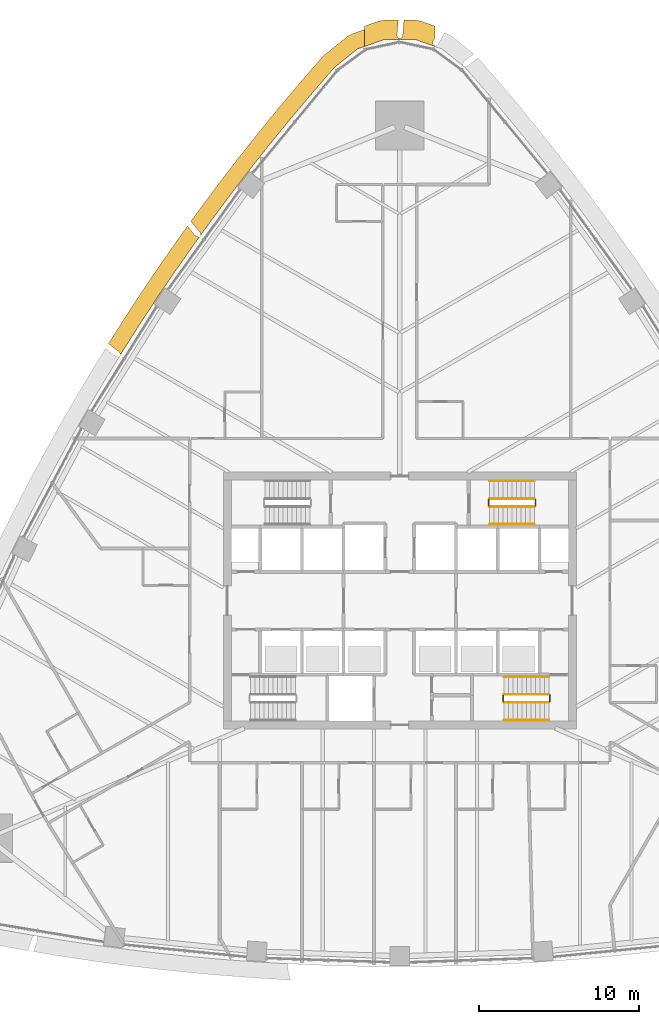
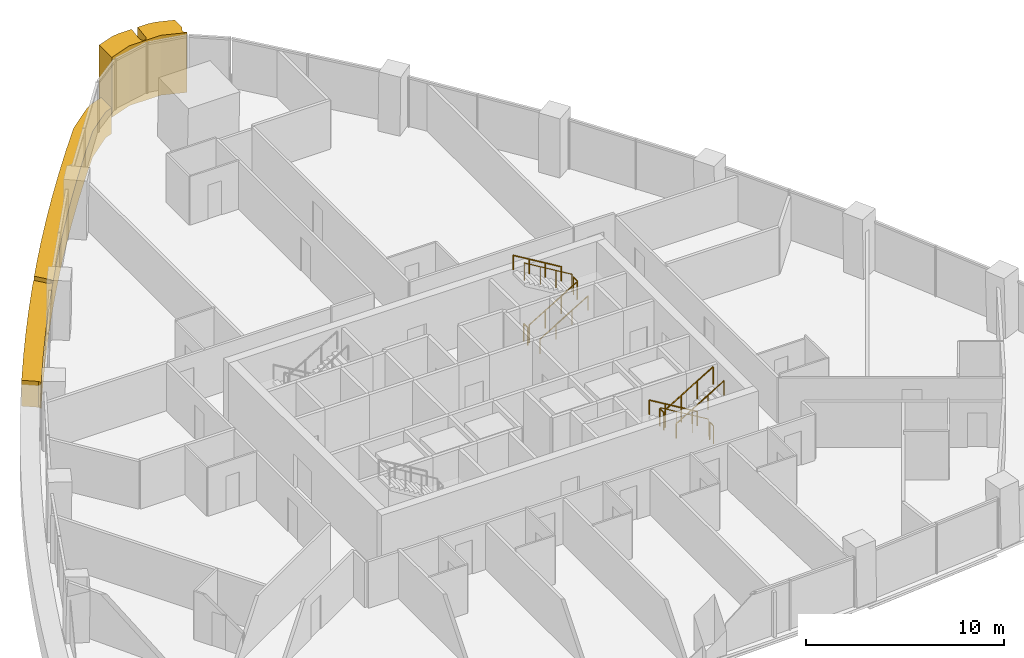
# One storey, part 15 of 17: 12 railings, 2 coverings.
"""IFC4 building model written with IfcOpenShell, lengths in metres."""

from ifc_helpers import new_model, si_unit, direction, frame, origin, origin_2d, place, context, subcontext, project, spatial, polyline, circle, outline, extrude, material, layer, layer_set, type_object, element, save


model = new_model("IFC4")

# Units and contexts
model_context = context("Model", 3, precision=1e-05, world=origin(), true_north=direction((0.0, 1.0)))
body_context = subcontext(model_context, "Body", "Model", "MODEL_VIEW")
ifc_project = project(units=[si_unit("LENGTHUNIT", "METRE"), si_unit("AREAUNIT", "SQUARE_METRE"), si_unit("VOLUMEUNIT", "CUBIC_METRE"), si_unit("PLANEANGLEUNIT", "RADIAN"), si_unit("MASSUNIT", "GRAM", prefix="KILO")], contexts=[model_context])

# Site, building, storey
site_placement = place(None, origin())
site = spatial("IfcSite", under=ifc_project, at=site_placement, CompositionType="ELEMENT")
building_placement = place(site_placement, origin())
building = spatial("IfcBuilding", under=site, at=building_placement, Name="Sierra Prisma Convention Tower", CompositionType="ELEMENT")
storey_placement = place(building_placement, frame((0.0, 0.0, 99.800048828125)))
storey = spatial("IfcBuildingStorey", under=building, at=storey_placement, Name="L21", CompositionType="ELEMENT", Elevation=99.800048828125)

# Coverings
ifc_material_1 = material(Name="Aluminium composite bronze anodised", Category="aluminium")
ifc_layer_1 = layer(ifc_material_1, 1.199951171875)
ifc_layer_set_1 = layer_set([ifc_layer_1], Name="Bronze corner pier")
covering_type_1 = type_object("IfcCoveringType", Name="Bronze corner pier", PredefinedType="CLADDING", material=ifc_layer_set_1)
covering_1_placement = place(storey_placement, frame((0.0, 0.0, -0.60009765625)))
element("IfcCovering", 1, at=covering_1_placement, inside=storey, type_object=covering_type_1, Name="Corner pier N L21.1", PredefinedType="CLADDING", context=body_context, shape_type="SweptSolid", body=[
    extrude(outline(polyline([(2.06689453125, 34.82861328125), (2.065185546875, 34.82421875), (2.063720703125, 34.81982421875), (2.06298828125, 34.815185546875), (2.0625, 34.810546875), (2.0625, 34.805908203125), (2.06298828125, 34.801513671875), (2.084716796875, 34.643310546875), (2.085693359375, 34.638427734375), (2.0869140625, 34.6337890625), (2.0888671875, 34.629150390625), (2.09130859375, 34.624755859375), (2.093994140625, 34.62060546875), (2.09716796875, 34.61669921875), (2.1005859375, 34.61328125), (2.1044921875, 34.610107421875), (2.108642578125, 34.607421875), (2.113037109375, 34.60498046875), (2.11767578125, 34.60302734375), (2.199951171875, 34.57421875), (2.199951171875, 34.526611328125), (0.915771484375, 34.9794921875), (-0.915771484375, 34.9794921875), (-2.199951171875, 34.526611328125), (-2.199951171875, 35.799072265625), (-1.314697265625, 36.111328125), (-0.915771484375, 36.1796875), (-0.090087890625, 36.1796875), (-0.17431640625, 35.216796875), (-0.174560546875, 35.2119140625), (-0.17431640625, 35.206787109375), (-0.17333984375, 35.201904296875), (-0.172119140625, 35.197021484375), (-0.170166015625, 35.1923828125), (-0.16796875, 35.187744140625), (-0.093505859375, 35.056884765625), (-0.0908203125, 35.052978515625), (-0.087890625, 35.049072265625), (-0.084716796875, 35.045654296875), (-0.0810546875, 35.04248046875), (-0.0771484375, 35.039794921875), (-0.072998046875, 35.037353515625), (-0.068603515625, 35.035400390625), (-0.064208984375, 35.03369140625), (-0.0595703125, 35.032470703125), (-0.0546875, 35.031982421875), (-0.050048828125, 35.031494140625), (0.050048828125, 35.031494140625), (0.054931640625, 35.031982421875), (0.059814453125, 35.03271484375), (0.064453125, 35.03369140625), (0.06884765625, 35.035400390625), (0.0732421875, 35.037353515625), (0.077392578125, 35.039794921875), (0.081298828125, 35.042724609375), (0.085205078125, 35.0458984375), (0.08837890625, 35.049560546875), (0.09130859375, 35.053466796875), (0.165771484375, 35.16259765625), (0.16845703125, 35.1669921875), (0.170654296875, 35.17138671875), (0.17236328125, 35.17626953125), (0.173583984375, 35.181396484375), (0.17431640625, 35.186279296875), (0.26123046875, 36.1796875), (0.915771484375, 36.1796875), (1.314697265625, 36.111328125), (2.199951171875, 35.799072265625), (2.199951171875, 35.065185546875), (2.06884765625, 34.832763671875), (2.06689453125, 34.82861328125)])), origin(), (0.0, 0.0, 1.0), 3.699951171875),
])
ifc_material_2 = material(Name="Aluminium composite bronze anodised", Category="aluminium")
ifc_layer_2 = layer(ifc_material_2, 1.0)
ifc_layer_set_2 = layer_set([ifc_layer_2], Name="Bronze spandrel band")
covering_type_2 = type_object("IfcCoveringType", Name="Bronze spandrel band", PredefinedType="CLADDING", material=ifc_layer_set_2)
covering_2_placement = place(storey_placement, frame((0.0, 0.0, -1.60009765625)))
element("IfcCovering", 2, at=covering_2_placement, inside=storey, type_object=covering_type_2, Name="Spandrel band L21.3", PredefinedType="CLADDING", context=body_context, shape_type="SweptSolid", body=[
    extrude(outline(polyline([(-12.697021484375, 22.697265625), (-12.692138671875, 22.69580078125), (-12.687255859375, 22.694580078125), (-12.522216796875, 22.664306640625), (-12.517333984375, 22.66357421875), (-12.5126953125, 22.663330078125), (-12.508056640625, 22.663818359375), (-12.50341796875, 22.664306640625), (-12.498779296875, 22.66552734375), (-12.494140625, 22.6669921875), (-12.489990234375, 22.669189453125), (-12.48583984375, 22.67138671875), (-12.48193359375, 22.67431640625), (-12.478515625, 22.67724609375), (-12.47509765625, 22.680908203125), (-12.472412109375, 22.6845703125), (-12.41455078125, 22.76611328125), (-12.411865234375, 22.770263671875), (-12.40966796875, 22.774658203125), (-12.40771484375, 22.779296875), (-12.406494140625, 22.7841796875), (-12.405517578125, 22.7890625), (-12.4052734375, 22.7939453125), (-12.405517578125, 22.798828125), (-12.406005859375, 22.8037109375), (-12.4072265625, 22.80859375), (-12.437744140625, 22.9169921875), (-12.439453125, 22.921875), (-12.441650390625, 22.9267578125), (-12.4443359375, 22.93115234375), (-12.447509765625, 22.935302734375), (-13.0224609375, 23.628173828125), (-12.388671875, 24.502685546875), (-12.3798828125, 24.514404296875), (-11.18603515625, 26.111083984375), (-11.177001953125, 26.123046875), (-9.959716796875, 27.701904296875), (-9.95068359375, 27.713623046875), (-8.710205078125, 29.2744140625), (-8.700927734375, 29.285888671875), (-7.4375, 30.828125), (-7.427978515625, 30.839599609375), (-6.141845703125, 32.36279296875), (-6.132080078125, 32.3740234375), (-4.82373046875, 33.87841796875), (-4.6962890625, 34.000732421875), (-3.27001953125, 35.1494140625), (-2.975341796875, 35.313720703125), (-2.2099609375, 35.58349609375), (-2.2099609375, 34.523193359375), (-2.642822265625, 34.37060546875), (-4.069091796875, 33.221923828125), (-5.377685546875, 31.7177734375), (-6.663818359375, 30.1943359375), (-7.92724609375, 28.652099609375), (-9.167724609375, 27.09130859375), (-9.398681640625, 26.7919921875), (-9.402587890625, 26.78955078125), (-9.40625, 26.78662109375), (-9.409912109375, 26.783203125), (-9.4130859375, 26.779296875), (-10.145751953125, 25.8291015625), (-10.1484375, 25.8251953125), (-10.15087890625, 25.82080078125), (-10.152587890625, 25.816650390625), (-10.154296875, 25.81201171875), (-10.154296875, 25.81201171875), (-10.385009765625, 25.512451171875), (-11.578857421875, 23.915771484375), (-12.748779296875, 22.301513671875), (-13.89501953125, 20.669921875), (-14.667236328125, 19.53515625), (-14.6689453125, 19.5341796875), (-14.6728515625, 19.53125), (-14.676513671875, 19.52783203125), (-14.6796875, 19.5244140625), (-14.6826171875, 19.520263671875), (-15.3505859375, 18.523193359375), (-15.35302734375, 18.519287109375), (-15.35498046875, 18.514892578125), (-15.356689453125, 18.51025390625), (-15.35791015625, 18.505615234375), (-15.3583984375, 18.50341796875), (-16.114013671875, 17.357177734375), (-17.186279296875, 15.676513671875), (-17.405517578125, 15.32177734375), (-17.405029296875, 15.324462890625), (-17.405029296875, 15.3291015625), (-17.4052734375, 15.333984375), (-17.406005859375, 15.3388671875), (-17.407470703125, 15.343505859375), (-17.4091796875, 15.34814453125), (-17.462158203125, 15.468994140625), (-17.46435546875, 15.4736328125), (-17.467041015625, 15.47802734375), (-17.47021484375, 15.482177734375), (-17.473876953125, 15.485595703125), (-17.477783203125, 15.489013671875), (-18.15966796875, 16.003662109375), (-18.037109375, 16.201904296875), (-18.029296875, 16.214599609375), (-16.956787109375, 17.895263671875), (-16.94873046875, 17.90771484375), (-15.8515625, 19.572265625), (-15.84326171875, 19.58447265625), (-14.7216796875, 21.232666015625), (-14.713134765625, 21.244873046875), (-13.567138671875, 22.876220703125), (-13.55859375, 22.88818359375), (-13.234375, 23.33544921875), (-12.716796875, 22.7119140625), (-12.71337890625, 22.7080078125), (-12.709716796875, 22.704833984375), (-12.705810546875, 22.701904296875), (-12.701416015625, 22.699462890625), (-12.697021484375, 22.697265625)])), origin(), (0.0, 0.0, 1.0), 1.60009765625),
])

# Railings
ifc_material_3 = material(Name="Stainless steel", Category="steel")
railing_type_1 = type_object("IfcRailingType", Name="Exit stair handrail", PredefinedType="HANDRAIL", material=ifc_material_3)
railing_1_placement = place(storey_placement, frame((9.300048828125, -4.75, 0.168212890625)))
element("IfcRailing", 3, at=railing_1_placement, inside=storey, type_object=railing_type_1, Name="L21 S2 stair handrail 1", PredefinedType="HANDRAIL", context=body_context, shape_type="SweptSolid", body=[
    extrude(circle(Radius=0.02392578125, at=origin_2d()), frame((0.0, 0.0, 0.8759765625), z_axis=(-0.857275202839, 0.0, 0.514858452973), x_axis=(0.0, -1.0, 0.0)), (0.0, 0.0, 1.0), 3.26611328125),
    extrude(circle(Radius=0.02099609375, at=origin_2d()), origin(), (0.0, 0.0, 1.0), 0.851806640625),
    extrude(circle(Radius=0.02099609375, at=origin_2d()), frame((-0.933349609375, 0.0, 0.560546875)), (0.0, 0.0, 1.0), 0.851806640625),
    extrude(circle(Radius=0.02099609375, at=origin_2d()), frame((-1.86669921875, 0.0, 1.12109375)), (0.0, 0.0, 1.0), 0.851806640625),
    extrude(circle(Radius=0.02099609375, at=origin_2d()), frame((-2.800048828125, 0.0, 1.681640625)), (0.0, 0.0, 1.0), 0.851806640625),
])
railing_2_placement = place(storey_placement, frame((6.5, -7.449951171875, 2.01806640625)))
element("IfcRailing", 4, at=railing_2_placement, inside=storey, type_object=railing_type_1, Name="L21 S2 stair handrail 2", PredefinedType="HANDRAIL", context=body_context, shape_type="SweptSolid", body=[
    extrude(circle(Radius=0.02392578125, at=origin_2d()), frame((0.0, 0.0, 0.8759765625), z_axis=(0.857242210791, 0.0, 0.514913383045), x_axis=(0.0, 1.0, 0.0)), (0.0, 0.0, 1.0), 3.266357421875),
    extrude(circle(Radius=0.02099609375, at=origin_2d()), origin(), (0.0, 0.0, 1.0), 0.851806640625),
    extrude(circle(Radius=0.02099609375, at=origin_2d()), frame((0.933349609375, 0.0, 0.560546875)), (0.0, 0.0, 1.0), 0.851806640625),
    extrude(circle(Radius=0.02099609375, at=origin_2d()), frame((1.86669921875, 0.0, 1.121337890625)), (0.0, 0.0, 1.0), 0.851806640625),
    extrude(circle(Radius=0.02099609375, at=origin_2d()), frame((2.800048828125, 0.0, 1.681884765625)), (0.0, 0.0, 1.0), 0.851806640625),
])
railing_3_placement = place(storey_placement, frame((5.60009765625, 4.75, 0.168212890625)))
element("IfcRailing", 5, at=railing_3_placement, inside=storey, type_object=railing_type_1, Name="L21 S4 stair handrail 1", PredefinedType="HANDRAIL", context=body_context, shape_type="SweptSolid", body=[
    extrude(circle(Radius=0.02392578125, at=origin_2d()), frame((0.0, 0.0, 0.8759765625), z_axis=(0.857255387014, 0.0, 0.514891446264), x_axis=(0.0, 1.0, 0.0)), (0.0, 0.0, 1.0), 3.26611328125),
    extrude(circle(Radius=0.02099609375, at=origin_2d()), origin(), (0.0, 0.0, 1.0), 0.851806640625),
    extrude(circle(Radius=0.02099609375, at=origin_2d()), frame((0.933349609375, 0.0, 0.560546875)), (0.0, 0.0, 1.0), 0.851806640625),
    extrude(circle(Radius=0.02099609375, at=origin_2d()), frame((1.866455078125, 0.0, 1.12109375)), (0.0, 0.0, 1.0), 0.851806640625),
    extrude(circle(Radius=0.02099609375, at=origin_2d()), frame((2.7998046875, 0.0, 1.681640625)), (0.0, 0.0, 1.0), 0.851806640625),
])
railing_4_placement = place(storey_placement, frame((8.39990234375, 7.449951171875, 2.01806640625)))
element("IfcRailing", 6, at=railing_4_placement, inside=storey, type_object=railing_type_1, Name="L21 S4 stair handrail 2", PredefinedType="HANDRAIL", context=body_context, shape_type="SweptSolid", body=[
    extrude(circle(Radius=0.02392578125, at=origin_2d()), frame((0.0, 0.0, 0.8759765625), z_axis=(-0.857222391501, 0.0, 0.514946377315), x_axis=(0.0, -1.0, 0.0)), (0.0, 0.0, 1.0), 3.26611328125),
    extrude(circle(Radius=0.02099609375, at=origin_2d()), origin(), (0.0, 0.0, 1.0), 0.851806640625),
    extrude(circle(Radius=0.02099609375, at=origin_2d()), frame((-0.933349609375, 0.0, 0.560546875)), (0.0, 0.0, 1.0), 0.851806640625),
    extrude(circle(Radius=0.02099609375, at=origin_2d()), frame((-1.866455078125, 0.0, 1.121337890625)), (0.0, 0.0, 1.0), 0.851806640625),
    extrude(circle(Radius=0.02099609375, at=origin_2d()), frame((-2.7998046875, 0.0, 1.681884765625)), (0.0, 0.0, 1.0), 0.851806640625),
])
ifc_material_4 = material(Name="Stainless steel", Category="steel")
railing_type_2 = type_object("IfcRailingType", Name="Stair guard 1100", PredefinedType="GUARDRAIL", material=ifc_material_4)
railing_5_placement = place(storey_placement, frame((9.300048828125, -5.85009765625, 0.168212890625)))
element("IfcRailing", 7, at=railing_5_placement, inside=storey, type_object=railing_type_2, Name="L21 S2 stair guard 1", PredefinedType="GUARDRAIL", context=body_context, shape_type="SweptSolid", body=[
    extrude(circle(Radius=0.02392578125, at=origin_2d()), frame((0.0, 0.0, 1.076171875), z_axis=(-0.857275202839, 0.0, 0.514858452973), x_axis=(0.0, -1.0, 0.0)), (0.0, 0.0, 1.0), 3.26611328125),
    extrude(circle(Radius=0.02099609375, at=origin_2d()), origin(), (0.0, 0.0, 1.0), 1.052001953125),
    extrude(circle(Radius=0.02099609375, at=origin_2d()), frame((-0.933349609375, 0.0, 0.560546875)), (0.0, 0.0, 1.0), 1.052001953125),
    extrude(circle(Radius=0.02099609375, at=origin_2d()), frame((-1.86669921875, 0.0, 1.12109375)), (0.0, 0.0, 1.0), 1.052001953125),
    extrude(circle(Radius=0.02099609375, at=origin_2d()), frame((-2.800048828125, 0.0, 1.681640625)), (0.0, 0.0, 1.0), 1.052001953125),
])
railing_6_placement = place(storey_placement, frame((6.449951171875, -5.89990234375, 1.849853515625)))
element("IfcRailing", 8, at=railing_6_placement, inside=storey, type_object=railing_type_2, Name="L21 S2 stair guard 2", PredefinedType="GUARDRAIL", context=body_context, shape_type="SweptSolid", body=[
    extrude(circle(Radius=0.02392578125, at=origin_2d()), frame((0.0, 0.0, 1.076171875), z_axis=(0.0, -1.0, 0.0), x_axis=(1.0, 0.0, 0.0)), (0.0, 0.0, 1.0), 0.400146484375),
    extrude(circle(Radius=0.02099609375, at=origin_2d()), origin(), (0.0, 0.0, 1.0), 1.052001953125),
    extrude(circle(Radius=0.02099609375, at=origin_2d()), frame((0.0, -0.400146484375, 0.0)), (0.0, 0.0, 1.0), 1.052001953125),
])
railing_7_placement = place(storey_placement, frame((6.5, -6.35009765625, 2.01806640625)))
element("IfcRailing", 9, at=railing_7_placement, inside=storey, type_object=railing_type_2, Name="L21 S2 stair guard 3", PredefinedType="GUARDRAIL", context=body_context, shape_type="SweptSolid", body=[
    extrude(circle(Radius=0.02392578125, at=origin_2d()), frame((0.0, 0.0, 1.076171875), z_axis=(0.857242210791, 0.0, 0.514913383045), x_axis=(0.0, 1.0, 0.0)), (0.0, 0.0, 1.0), 3.266357421875),
    extrude(circle(Radius=0.02099609375, at=origin_2d()), origin(), (0.0, 0.0, 1.0), 1.052001953125),
    extrude(circle(Radius=0.02099609375, at=origin_2d()), frame((0.933349609375, 0.0, 0.560546875)), (0.0, 0.0, 1.0), 1.052001953125),
    extrude(circle(Radius=0.02099609375, at=origin_2d()), frame((1.86669921875, 0.0, 1.121337890625)), (0.0, 0.0, 1.0), 1.052001953125),
    extrude(circle(Radius=0.02099609375, at=origin_2d()), frame((2.800048828125, 0.0, 1.681884765625)), (0.0, 0.0, 1.0), 1.052001953125),
])
railing_8_placement = place(storey_placement, frame((9.35009765625, -5.89990234375, 0.0)))
element("IfcRailing", 10, at=railing_8_placement, inside=storey, type_object=railing_type_2, Name="L21 S2 stair guard 4", PredefinedType="GUARDRAIL", context=body_context, shape_type="SweptSolid", body=[
    extrude(circle(Radius=0.02392578125, at=origin_2d()), frame((0.0, 0.0, 1.076171875), z_axis=(0.0, -1.0, 0.0), x_axis=(1.0, 0.0, 0.0)), (0.0, 0.0, 1.0), 0.400146484375),
    extrude(circle(Radius=0.02099609375, at=origin_2d()), origin(), (0.0, 0.0, 1.0), 1.052001953125),
    extrude(circle(Radius=0.02099609375, at=origin_2d()), frame((0.0, -0.400146484375, 0.0)), (0.0, 0.0, 1.0), 1.052001953125),
])
railing_9_placement = place(storey_placement, frame((5.60009765625, 5.85009765625, 0.168212890625)))
element("IfcRailing", 11, at=railing_9_placement, inside=storey, type_object=railing_type_2, Name="L21 S4 stair guard 1", PredefinedType="GUARDRAIL", context=body_context, shape_type="SweptSolid", body=[
    extrude(circle(Radius=0.02392578125, at=origin_2d()), frame((0.0, 0.0, 1.076171875), z_axis=(0.857255387014, 0.0, 0.514891446264), x_axis=(0.0, 1.0, 0.0)), (0.0, 0.0, 1.0), 3.26611328125),
    extrude(circle(Radius=0.02099609375, at=origin_2d()), origin(), (0.0, 0.0, 1.0), 1.052001953125),
    extrude(circle(Radius=0.02099609375, at=origin_2d()), frame((0.933349609375, 0.0, 0.560546875)), (0.0, 0.0, 1.0), 1.052001953125),
    extrude(circle(Radius=0.02099609375, at=origin_2d()), frame((1.866455078125, 0.0, 1.12109375)), (0.0, 0.0, 1.0), 1.052001953125),
    extrude(circle(Radius=0.02099609375, at=origin_2d()), frame((2.7998046875, 0.0, 1.681640625)), (0.0, 0.0, 1.0), 1.052001953125),
])
railing_10_placement = place(storey_placement, frame((8.449951171875, 5.89990234375, 1.849853515625)))
element("IfcRailing", 12, at=railing_10_placement, inside=storey, type_object=railing_type_2, Name="L21 S4 stair guard 2", PredefinedType="GUARDRAIL", context=body_context, shape_type="SweptSolid", body=[
    extrude(circle(Radius=0.02392578125, at=origin_2d()), frame((0.0, 0.0, 1.076171875), z_axis=(0.0, 1.0, 0.0), x_axis=(-1.0, 0.0, 0.0)), (0.0, 0.0, 1.0), 0.400146484375),
    extrude(circle(Radius=0.02099609375, at=origin_2d()), origin(), (0.0, 0.0, 1.0), 1.052001953125),
    extrude(circle(Radius=0.02099609375, at=origin_2d()), frame((0.0, 0.400146484375, 0.0)), (0.0, 0.0, 1.0), 1.052001953125),
])
railing_11_placement = place(storey_placement, frame((8.39990234375, 6.35009765625, 2.01806640625)))
element("IfcRailing", 13, at=railing_11_placement, inside=storey, type_object=railing_type_2, Name="L21 S4 stair guard 3", PredefinedType="GUARDRAIL", context=body_context, shape_type="SweptSolid", body=[
    extrude(circle(Radius=0.02392578125, at=origin_2d()), frame((0.0, 0.0, 1.076171875), z_axis=(-0.857222391501, 0.0, 0.514946377315), x_axis=(0.0, -1.0, 0.0)), (0.0, 0.0, 1.0), 3.26611328125),
    extrude(circle(Radius=0.02099609375, at=origin_2d()), origin(), (0.0, 0.0, 1.0), 1.052001953125),
    extrude(circle(Radius=0.02099609375, at=origin_2d()), frame((-0.933349609375, 0.0, 0.560546875)), (0.0, 0.0, 1.0), 1.052001953125),
    extrude(circle(Radius=0.02099609375, at=origin_2d()), frame((-1.866455078125, 0.0, 1.121337890625)), (0.0, 0.0, 1.0), 1.052001953125),
    extrude(circle(Radius=0.02099609375, at=origin_2d()), frame((-2.7998046875, 0.0, 1.681884765625)), (0.0, 0.0, 1.0), 1.052001953125),
])
railing_12_placement = place(storey_placement, frame((5.550048828125, 5.89990234375, 0.0)))
element("IfcRailing", 14, at=railing_12_placement, inside=storey, type_object=railing_type_2, Name="L21 S4 stair guard 4", PredefinedType="GUARDRAIL", context=body_context, shape_type="SweptSolid", body=[
    extrude(circle(Radius=0.02392578125, at=origin_2d()), frame((0.0, 0.0, 1.076171875), z_axis=(0.0, 1.0, 0.0), x_axis=(-1.0, 0.0, 0.0)), (0.0, 0.0, 1.0), 0.400146484375),
    extrude(circle(Radius=0.02099609375, at=origin_2d()), origin(), (0.0, 0.0, 1.0), 1.052001953125),
    extrude(circle(Radius=0.02099609375, at=origin_2d()), frame((0.0, 0.400146484375, 0.0)), (0.0, 0.0, 1.0), 1.052001953125),
])

save(model, "model.ifc")
